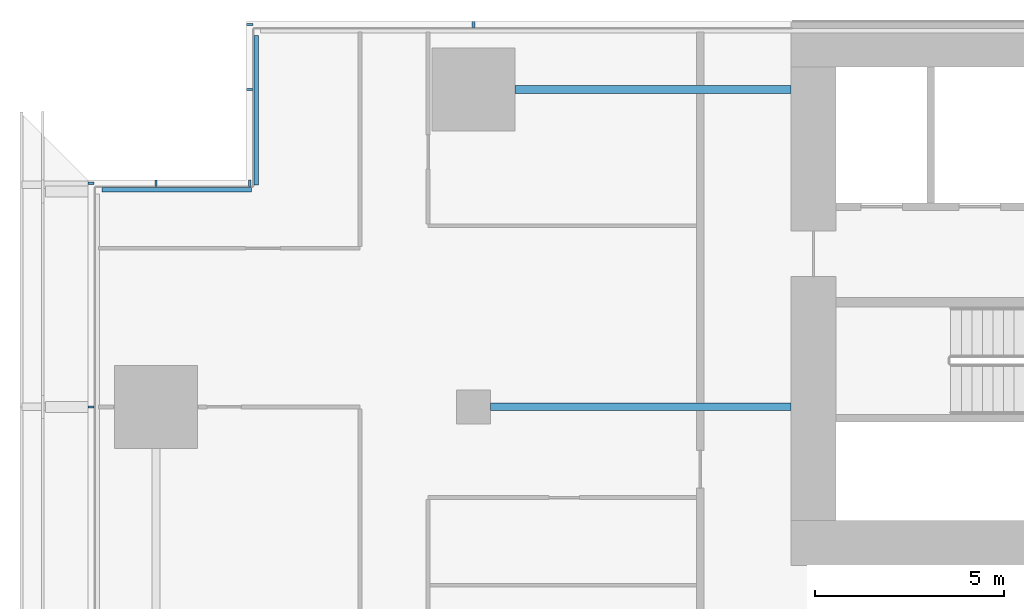
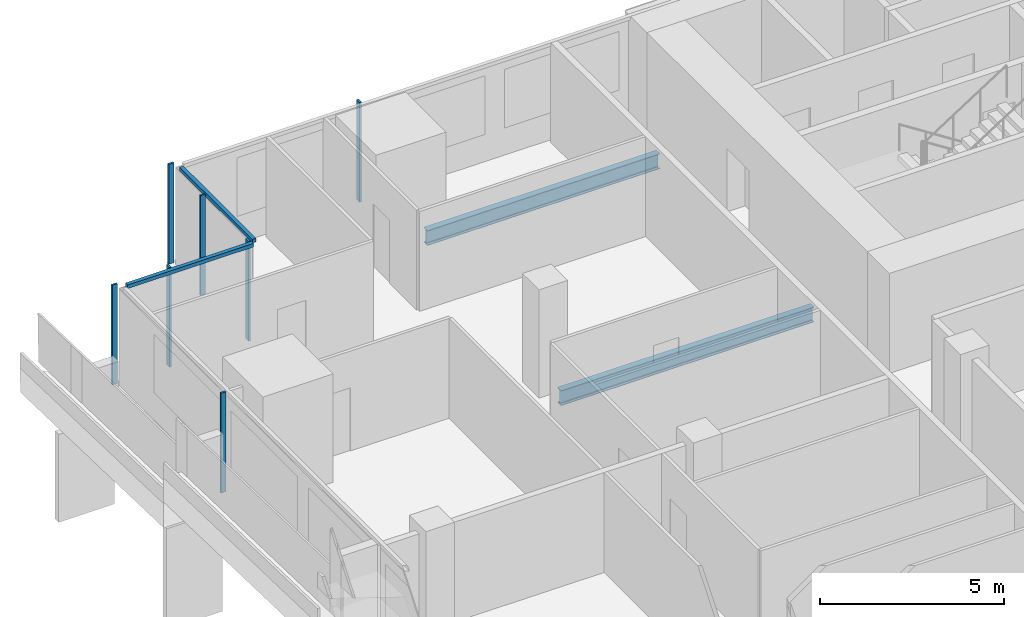
# One storey, part 8 of 28: 9 members, 2 beams, 4 elements without a shape of their own.
"""IFC4 building model written with IfcOpenShell, lengths in metres."""

from ifc_helpers import new_model, si_unit, direction, frame, origin, origin_2d, place, context, subcontext, project, spatial, rectangle, i_section, extrude, material, material_profile, profile_set, type_object, element, aggregate, save


model = new_model("IFC4")

# Units and contexts
model_context = context("Model", 3, precision=1e-05, world=origin(), true_north=direction((0.0, 1.0)))
body_context = subcontext(model_context, "Body", "Model", "MODEL_VIEW")
ifc_project = project(units=[si_unit("LENGTHUNIT", "METRE"), si_unit("AREAUNIT", "SQUARE_METRE"), si_unit("VOLUMEUNIT", "CUBIC_METRE"), si_unit("PLANEANGLEUNIT", "RADIAN"), si_unit("MASSUNIT", "GRAM", prefix="KILO")], contexts=[model_context])

# Site, building, storey
site_placement = place(None, origin())
site = spatial("IfcSite", under=ifc_project, at=site_placement, CompositionType="ELEMENT")
building_placement = place(site_placement, origin())
building = spatial("IfcBuilding", under=site, at=building_placement, Name="Saffron Gate Tower", CompositionType="ELEMENT")
storey_placement = place(building_placement, frame((0.0, 0.0, 51.60009765625)))
storey = spatial("IfcBuildingStorey", under=building, at=storey_placement, Name="L11", CompositionType="ELEMENT", Elevation=51.60009765625)

# Beams
ifc_material_1 = material(Name="Structural steel S355", Category="steel")
ifc_material_profile_1 = material_profile(ifc_material_1, i_section(OverallWidth=0.199951171875, OverallDepth=0.5, WebThickness=0.01025390625, FlangeThickness=0.01611328125, FilletRadius=0.02099609375, at=origin_2d()))
ifc_profile_set_1 = profile_set([ifc_material_profile_1], Name="Structural steel S355")
beam_type = type_object("IfcBeamType", Name="B10 IPE 500", PredefinedType="BEAM", material=ifc_profile_set_1)
beam_1_placement = place(storey_placement, frame((58.64990234375, 65.39990234375, -0.530029296875), z_axis=(1.0, 0.0, 0.0), x_axis=(0.0, 1.0, 0.0)))
element("IfcBeam", 1, at=beam_1_placement, inside=storey, type_object=beam_type, Name="B10 CORE TIE BEAM", PredefinedType="BEAM", context=body_context, shape_type="SweptSolid", body=[
    extrude(i_section(OverallWidth=0.199951171875, OverallDepth=0.5, WebThickness=0.01025390625, FlangeThickness=0.01611328125, FilletRadius=0.02099609375, at=origin_2d()), origin(), (0.0, 0.0, 1.0), 7.9501953125),
])
beam_2_placement = place(storey_placement, frame((59.300048828125, 73.800048828125, -0.530029296875), z_axis=(1.0, 0.0, 0.0), x_axis=(0.0, 1.0, 0.0)))
element("IfcBeam", 2, at=beam_2_placement, inside=storey, type_object=beam_type, Name="B10 CORE TIE BEAM", PredefinedType="BEAM", context=body_context, shape_type="SweptSolid", body=[
    extrude(i_section(OverallWidth=0.199951171875, OverallDepth=0.5, WebThickness=0.01025390625, FlangeThickness=0.01611328125, FilletRadius=0.02099609375, at=origin_2d()), origin(), (0.0, 0.0, 1.0), 7.300048828125),
])

# Curtain wall, members
ifc_material_2 = material(Name="Aluminium, bronze anodised", Category="aluminium")
curtain_wall_type_1 = type_object("IfcCurtainWallType", Name="CWS2 curtain wall side facades", PredefinedType="NOTDEFINED", material=ifc_material_2)
curtain_wall_1_placement = place(storey_placement, origin())
curtain_wall_1 = element("IfcCurtainWall", 3, at=curtain_wall_1_placement, inside=storey, type_object=curtain_wall_type_1, Name="CWS2 run 10", PredefinedType="NOTDEFINED")
ifc_material_profile_2 = material_profile(ifc_material_2, rectangle(XDim=0.159912109375, YDim=0.06005859375, at=origin_2d()))
ifc_profile_set_2 = profile_set([ifc_material_profile_2], Name="Aluminium, bronze anodised")
member_type_1 = type_object("IfcMemberType", Name="CWS2 mullion 60x160", PredefinedType="MULLION", material=ifc_profile_set_2)
member_1_placement = place(storey_placement, frame((48.080078125, 71.320068359375, 0.0), z_axis=(0.0, 0.0, 1.0), x_axis=(1.0, 0.0, 0.0)))
member_1 = element("IfcMember", 4, at=member_1_placement, type_object=member_type_1, Name="CWS2 mullion 1", PredefinedType="MULLION", context=body_context, shape_type="SweptSolid", body=[
    extrude(rectangle(XDim=0.159912109375, YDim=0.06005859375, at=origin_2d()), origin(), (0.0, 0.0, 1.0), 3.31982421875),
])
member_2_placement = place(storey_placement, frame((48.080078125, 65.39990234375, 0.0), z_axis=(0.0, 0.0, 1.0), x_axis=(1.0, 0.0, 0.0)))
member_2 = element("IfcMember", 5, at=member_2_placement, type_object=member_type_1, Name="CWS2 mullion 2", PredefinedType="MULLION", context=body_context, shape_type="SweptSolid", body=[
    extrude(rectangle(XDim=0.159912109375, YDim=0.06005859375, at=origin_2d()), origin(), (0.0, 0.0, 1.0), 3.31982421875),
])
aggregate(curtain_wall_1, [member_1, member_2])

# Curtain wall, member
curtain_wall_type_2 = type_object("IfcCurtainWallType", Name="CWS3 curtain wall rear facade", PredefinedType="NOTDEFINED", material=ifc_material_2)
curtain_wall_2_placement = place(storey_placement, origin())
curtain_wall_2 = element("IfcCurtainWall", 6, at=curtain_wall_2_placement, inside=storey, type_object=curtain_wall_type_2, Name="CWS3 run 7", PredefinedType="NOTDEFINED")
ifc_material_profile_3 = material_profile(ifc_material_2, rectangle(XDim=0.159912109375, YDim=0.070068359375, at=origin_2d()))
ifc_profile_set_3 = profile_set([ifc_material_profile_3], Name="Aluminium, bronze anodised")
member_type_2 = type_object("IfcMemberType", Name="CWS3 mullion 70x160", PredefinedType="MULLION", material=ifc_profile_set_3)
member_3_placement = place(storey_placement, frame((58.199951171875, 75.52001953125, 0.0), z_axis=(0.0, 0.0, 1.0), x_axis=(0.0, -1.0, 0.0)))
member_3 = element("IfcMember", 7, at=member_3_placement, type_object=member_type_2, Name="CWS3 mullion 9", PredefinedType="MULLION", context=body_context, shape_type="SweptSolid", body=[
    extrude(rectangle(XDim=0.159912109375, YDim=0.070068359375, at=origin_2d()), origin(), (0.0, 0.0, 1.0), 3.31982421875),
])
aggregate(curtain_wall_2, [member_3])

curtain_wall_type_3 = type_object("IfcCurtainWallType", Name="CWS4 curtain wall corner returns", PredefinedType="NOTDEFINED", material=ifc_material_2)
curtain_wall_3_placement = place(storey_placement, origin())
curtain_wall_3 = element("IfcCurtainWall", 8, at=curtain_wall_3_placement, inside=storey, type_object=curtain_wall_type_3, Name="CWS4 run 8", PredefinedType="NOTDEFINED")
ifc_material_profile_4 = material_profile(ifc_material_2, rectangle(XDim=0.1201171875, YDim=0.1201171875, at=origin_2d()))
ifc_profile_set_4 = profile_set([ifc_material_profile_4], Name="Aluminium, bronze anodised")
member_type_3 = type_object("IfcMemberType", Name="CWS4 head transom", PredefinedType="USERDEFINED", material=ifc_profile_set_4)
member_4_placement = place(storey_placement, frame((52.447998046875, 75.23193359375, 3.260009765625), z_axis=(0.0, -1.0, 0.0), x_axis=(1.0, 0.0, 0.0)))
member_4 = element("IfcMember", 9, at=member_4_placement, type_object=member_type_3, Name="CWS4 head transom", ObjectType="TRANSOM", PredefinedType="USERDEFINED", context=body_context, shape_type="SweptSolid", body=[
    extrude(rectangle(XDim=0.1201171875, YDim=0.1201171875, at=origin_2d()), origin(), (0.0, 0.0, 1.0), 3.9599609375),
])

curtain_wall_4_placement = place(storey_placement, origin())
curtain_wall_4 = element("IfcCurtainWall", 10, at=curtain_wall_4_placement, inside=storey, type_object=curtain_wall_type_3, Name="CWS4 run 9", PredefinedType="NOTDEFINED")
member_5_placement = place(storey_placement, frame((52.327880859375, 71.152099609375, 3.260009765625), z_axis=(-1.0, 0.0, 0.0), x_axis=(0.0, -1.0, 0.0)))
member_5 = element("IfcMember", 11, at=member_5_placement, type_object=member_type_3, Name="CWS4 head transom", ObjectType="TRANSOM", PredefinedType="USERDEFINED", context=body_context, shape_type="SweptSolid", body=[
    extrude(rectangle(XDim=0.1201171875, YDim=0.1201171875, at=origin_2d()), origin(), (0.0, 0.0, 1.0), 3.9599609375),
])

# Member
ifc_material_profile_5 = material_profile(ifc_material_2, rectangle(XDim=0.159912109375, YDim=0.06005859375, at=origin_2d()))
ifc_profile_set_5 = profile_set([ifc_material_profile_5], Name="Aluminium, bronze anodised")
member_type_4 = type_object("IfcMemberType", Name="CWS4 mullion 60x160", PredefinedType="MULLION", material=ifc_profile_set_5)
member_6_placement = place(storey_placement, frame((52.280029296875, 75.52001953125, 0.0), z_axis=(0.0, 0.0, 1.0), x_axis=(1.0, 0.0, 0.0)))
member_6 = element("IfcMember", 12, at=member_6_placement, type_object=member_type_4, Name="CWS4 mullion 1", PredefinedType="MULLION", context=body_context, shape_type="SweptSolid", body=[
    extrude(rectangle(XDim=0.159912109375, YDim=0.06005859375, at=origin_2d()), origin(), (0.0, 0.0, 1.0), 3.31982421875),
])

member_7_placement = place(storey_placement, frame((52.280029296875, 73.800048828125, 0.0), z_axis=(0.0, 0.0, 1.0), x_axis=(1.0, 0.0, 0.0)))
member_7 = element("IfcMember", 13, at=member_7_placement, type_object=member_type_4, Name="CWS4 mullion 2", PredefinedType="MULLION", context=body_context, shape_type="SweptSolid", body=[
    extrude(rectangle(XDim=0.159912109375, YDim=0.06005859375, at=origin_2d()), origin(), (0.0, 0.0, 1.0), 3.31982421875),
])

aggregate(curtain_wall_3, [member_6, member_7, member_4])

member_8_placement = place(storey_placement, frame((52.280029296875, 71.320068359375, 0.0), z_axis=(0.0, 0.0, 1.0), x_axis=(0.0, -1.0, 0.0)))
member_8 = element("IfcMember", 14, at=member_8_placement, type_object=member_type_4, Name="CWS4 mullion 1", PredefinedType="MULLION", context=body_context, shape_type="SweptSolid", body=[
    extrude(rectangle(XDim=0.159912109375, YDim=0.06005859375, at=origin_2d()), origin(), (0.0, 0.0, 1.0), 3.31982421875),
])

member_9_placement = place(storey_placement, frame((49.800048828125, 71.320068359375, 0.0), z_axis=(0.0, 0.0, 1.0), x_axis=(0.0, -1.0, 0.0)))
member_9 = element("IfcMember", 15, at=member_9_placement, type_object=member_type_4, Name="CWS4 mullion 2", PredefinedType="MULLION", context=body_context, shape_type="SweptSolid", body=[
    extrude(rectangle(XDim=0.159912109375, YDim=0.06005859375, at=origin_2d()), origin(), (0.0, 0.0, 1.0), 3.31982421875),
])

aggregate(curtain_wall_4, [member_8, member_9, member_5])

save(model, "model.ifc")
